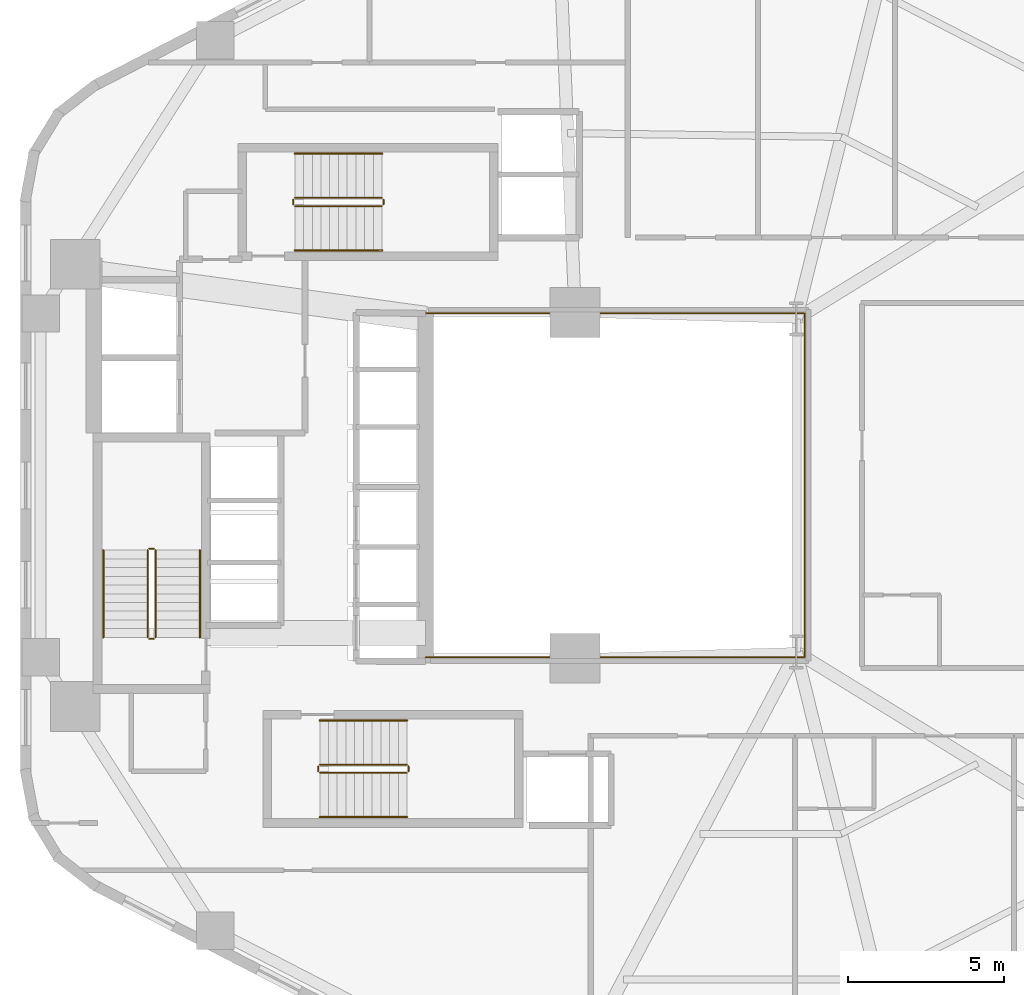
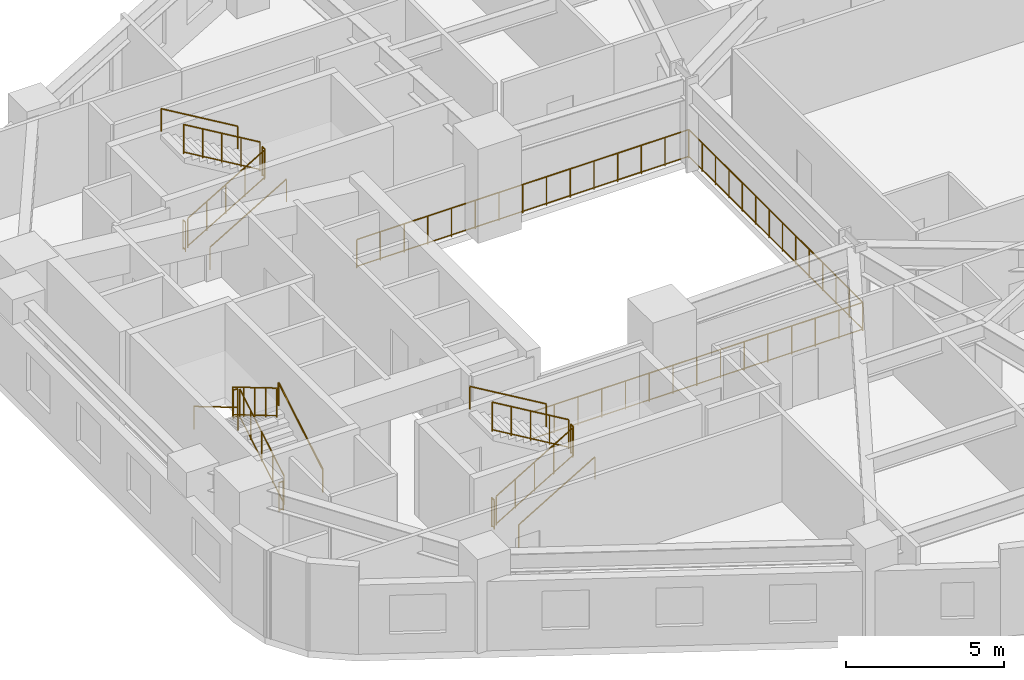
# One storey, part 7 of 7: 19 railings.
"""IFC4 building model written with IfcOpenShell, lengths in metres."""

from ifc_helpers import new_model, si_unit, direction, frame, origin, origin_2d, place, context, subcontext, project, spatial, circle, extrude, material, type_object, element, save


model = new_model("IFC4")

# Units and contexts
model_context = context("Model", 3, precision=1e-05, world=origin(), true_north=direction((0.0, 1.0)))
body_context = subcontext(model_context, "Body", "Model", "MODEL_VIEW")
ifc_project = project(units=[si_unit("LENGTHUNIT", "METRE"), si_unit("AREAUNIT", "SQUARE_METRE"), si_unit("VOLUMEUNIT", "CUBIC_METRE"), si_unit("PLANEANGLEUNIT", "RADIAN"), si_unit("MASSUNIT", "GRAM", prefix="KILO"), si_unit("THERMODYNAMICTEMPERATUREUNIT", "KELVIN"), si_unit("POWERUNIT", "WATT")], contexts=[model_context])

# Site, building, storey
site_placement = place(None, origin())
site = spatial("IfcSite", under=ifc_project, at=site_placement, CompositionType="ELEMENT")
building_placement = place(site_placement, origin())
building = spatial("IfcBuilding", under=site, at=building_placement, Name="Skarre Station Tower", CompositionType="ELEMENT")
storey_placement = place(building_placement, frame((0.0, 0.0, 89.050048828125)))
storey = spatial("IfcBuildingStorey", under=building, at=storey_placement, Name="L23", CompositionType="ELEMENT", Elevation=89.050048828125)

# Railings
ifc_material_1 = material(Name="Bronze Anodized Steel & Laminated Glass Balustrade", Category="steel")
railing_type_1 = type_object("IfcRailingType", Name="Atrium Void & Mezzanine Guard Balustrade 1120", PredefinedType="GUARDRAIL", material=ifc_material_1)
railing_1_placement = place(storey_placement, frame((27.550048828125, 18.47998046875, 0.0)))
element("IfcRailing", 1, at=railing_1_placement, inside=storey, type_object=railing_type_1, Name="L23 Atrium Void Guard Balustrade", PredefinedType="GUARDRAIL", context=body_context, shape_type="SweptSolid", body=[
    extrude(circle(Radius=0.02392578125, at=origin_2d()), frame((0.0, 0.0, 1.09619140625), z_axis=(1.0, 0.0, 0.0), x_axis=(0.0, 1.0, 0.0)), (0.0, 0.0, 1.0), 12.169921875),
    extrude(circle(Radius=0.02099609375, at=origin_2d()), frame((0.0, 0.0, 0.06005859375), z_axis=(1.0, 0.0, 0.0), x_axis=(0.0, 1.0, 0.0)), (0.0, 0.0, 1.0), 12.169921875),
    extrude(circle(Radius=0.02392578125, at=origin_2d()), frame((12.169921875, 0.0, 1.09619140625), z_axis=(0.0, 1.0, 0.0), x_axis=(-1.0, 0.0, 0.0)), (0.0, 0.0, 1.0), 11.0400390625),
    extrude(circle(Radius=0.02099609375, at=origin_2d()), frame((12.169921875, 0.0, 0.06005859375), z_axis=(0.0, 1.0, 0.0), x_axis=(-1.0, 0.0, 0.0)), (0.0, 0.0, 1.0), 11.0400390625),
    extrude(circle(Radius=0.02392578125, at=origin_2d()), frame((12.169921875, 11.0400390625, 1.09619140625), z_axis=(-1.0, 0.0, 0.0), x_axis=(0.0, -1.0, 0.0)), (0.0, 0.0, 1.0), 12.169921875),
    extrude(circle(Radius=0.02099609375, at=origin_2d()), frame((12.169921875, 11.0400390625, 0.06005859375), z_axis=(-1.0, 0.0, 0.0), x_axis=(0.0, -1.0, 0.0)), (0.0, 0.0, 1.0), 12.169921875),
    extrude(circle(Radius=0.02099609375, at=origin_2d()), origin(), (0.0, 0.0, 1.0), 1.072021484375),
    extrude(circle(Radius=0.02099609375, at=origin_2d()), frame((0.869384765625, 0.0, 0.0)), (0.0, 0.0, 1.0), 1.072021484375),
    extrude(circle(Radius=0.02099609375, at=origin_2d()), frame((1.738525390625, 0.0, 0.0)), (0.0, 0.0, 1.0), 1.072021484375),
    extrude(circle(Radius=0.02099609375, at=origin_2d()), frame((2.60791015625, 0.0, 0.0)), (0.0, 0.0, 1.0), 1.072021484375),
    extrude(circle(Radius=0.02099609375, at=origin_2d()), frame((3.47705078125, 0.0, 0.0)), (0.0, 0.0, 1.0), 1.072021484375),
    extrude(circle(Radius=0.02099609375, at=origin_2d()), frame((4.346435546875, 0.0, 0.0)), (0.0, 0.0, 1.0), 1.072021484375),
    extrude(circle(Radius=0.02099609375, at=origin_2d()), frame((5.215576171875, 0.0, 0.0)), (0.0, 0.0, 1.0), 1.072021484375),
    extrude(circle(Radius=0.02099609375, at=origin_2d()), frame((6.0849609375, 0.0, 0.0)), (0.0, 0.0, 1.0), 1.072021484375),
    extrude(circle(Radius=0.02099609375, at=origin_2d()), frame((6.954345703125, 0.0, 0.0)), (0.0, 0.0, 1.0), 1.072021484375),
    extrude(circle(Radius=0.02099609375, at=origin_2d()), frame((7.823486328125, 0.0, 0.0)), (0.0, 0.0, 1.0), 1.072021484375),
    extrude(circle(Radius=0.02099609375, at=origin_2d()), frame((8.69287109375, 0.0, 0.0)), (0.0, 0.0, 1.0), 1.072021484375),
    extrude(circle(Radius=0.02099609375, at=origin_2d()), frame((9.56201171875, 0.0, 0.0)), (0.0, 0.0, 1.0), 1.072021484375),
    extrude(circle(Radius=0.02099609375, at=origin_2d()), frame((10.431396484375, 0.0, 0.0)), (0.0, 0.0, 1.0), 1.072021484375),
    extrude(circle(Radius=0.02099609375, at=origin_2d()), frame((11.300537109375, 0.0, 0.0)), (0.0, 0.0, 1.0), 1.072021484375),
    extrude(circle(Radius=0.02099609375, at=origin_2d()), frame((12.169921875, 0.0, 0.0)), (0.0, 0.0, 1.0), 1.072021484375),
    extrude(circle(Radius=0.02099609375, at=origin_2d()), frame((12.169921875, 0.84912109375, 0.0)), (0.0, 0.0, 1.0), 1.072021484375),
    extrude(circle(Radius=0.02099609375, at=origin_2d()), frame((12.169921875, 1.698486328125, 0.0)), (0.0, 0.0, 1.0), 1.072021484375),
    extrude(circle(Radius=0.02099609375, at=origin_2d()), frame((12.169921875, 2.547607421875, 0.0)), (0.0, 0.0, 1.0), 1.072021484375),
    extrude(circle(Radius=0.02099609375, at=origin_2d()), frame((12.169921875, 3.39697265625, 0.0)), (0.0, 0.0, 1.0), 1.072021484375),
    extrude(circle(Radius=0.02099609375, at=origin_2d()), frame((12.169921875, 4.24609375, 0.0)), (0.0, 0.0, 1.0), 1.072021484375),
    extrude(circle(Radius=0.02099609375, at=origin_2d()), frame((12.169921875, 5.095458984375, 0.0)), (0.0, 0.0, 1.0), 1.072021484375),
    extrude(circle(Radius=0.02099609375, at=origin_2d()), frame((12.169921875, 5.944580078125, 0.0)), (0.0, 0.0, 1.0), 1.072021484375),
    extrude(circle(Radius=0.02099609375, at=origin_2d()), frame((12.169921875, 6.7939453125, 0.0)), (0.0, 0.0, 1.0), 1.072021484375),
    extrude(circle(Radius=0.02099609375, at=origin_2d()), frame((12.169921875, 7.64306640625, 0.0)), (0.0, 0.0, 1.0), 1.072021484375),
    extrude(circle(Radius=0.02099609375, at=origin_2d()), frame((12.169921875, 8.492431640625, 0.0)), (0.0, 0.0, 1.0), 1.072021484375),
    extrude(circle(Radius=0.02099609375, at=origin_2d()), frame((12.169921875, 9.341552734375, 0.0)), (0.0, 0.0, 1.0), 1.072021484375),
    extrude(circle(Radius=0.02099609375, at=origin_2d()), frame((12.169921875, 10.19091796875, 0.0)), (0.0, 0.0, 1.0), 1.072021484375),
    extrude(circle(Radius=0.02099609375, at=origin_2d()), frame((12.169921875, 11.0400390625, 0.0)), (0.0, 0.0, 1.0), 1.072021484375),
    extrude(circle(Radius=0.02099609375, at=origin_2d()), frame((11.300537109375, 11.0400390625, 0.0)), (0.0, 0.0, 1.0), 1.072021484375),
    extrude(circle(Radius=0.02099609375, at=origin_2d()), frame((10.431396484375, 11.0400390625, 0.0)), (0.0, 0.0, 1.0), 1.072021484375),
    extrude(circle(Radius=0.02099609375, at=origin_2d()), frame((9.56201171875, 11.0400390625, 0.0)), (0.0, 0.0, 1.0), 1.072021484375),
    extrude(circle(Radius=0.02099609375, at=origin_2d()), frame((8.69287109375, 11.0400390625, 0.0)), (0.0, 0.0, 1.0), 1.072021484375),
    extrude(circle(Radius=0.02099609375, at=origin_2d()), frame((7.823486328125, 11.0400390625, 0.0)), (0.0, 0.0, 1.0), 1.072021484375),
    extrude(circle(Radius=0.02099609375, at=origin_2d()), frame((6.954345703125, 11.0400390625, 0.0)), (0.0, 0.0, 1.0), 1.072021484375),
    extrude(circle(Radius=0.02099609375, at=origin_2d()), frame((6.0849609375, 11.0400390625, 0.0)), (0.0, 0.0, 1.0), 1.072021484375),
    extrude(circle(Radius=0.02099609375, at=origin_2d()), frame((5.215576171875, 11.0400390625, 0.0)), (0.0, 0.0, 1.0), 1.072021484375),
    extrude(circle(Radius=0.02099609375, at=origin_2d()), frame((4.346435546875, 11.0400390625, 0.0)), (0.0, 0.0, 1.0), 1.072021484375),
    extrude(circle(Radius=0.02099609375, at=origin_2d()), frame((3.47705078125, 11.0400390625, 0.0)), (0.0, 0.0, 1.0), 1.072021484375),
    extrude(circle(Radius=0.02099609375, at=origin_2d()), frame((2.60791015625, 11.0400390625, 0.0)), (0.0, 0.0, 1.0), 1.072021484375),
    extrude(circle(Radius=0.02099609375, at=origin_2d()), frame((1.738525390625, 11.0400390625, 0.0)), (0.0, 0.0, 1.0), 1.072021484375),
    extrude(circle(Radius=0.02099609375, at=origin_2d()), frame((0.869384765625, 11.0400390625, 0.0)), (0.0, 0.0, 1.0), 1.072021484375),
    extrude(circle(Radius=0.02099609375, at=origin_2d()), frame((0.0, 11.0400390625, 0.0)), (0.0, 0.0, 1.0), 1.072021484375),
])
ifc_material_2 = material(Name="Powder-Coated Tubular Steel", Category="steel")
railing_type_2 = type_object("IfcRailingType", Name="Painted Steel Ramp & Stair Handrail 920", PredefinedType="HANDRAIL", material=ifc_material_2)
railing_2_placement = place(storey_placement, frame((20.300048828125, 19.1201171875, 0.165771484375)))
element("IfcRailing", 2, at=railing_2_placement, inside=storey, type_object=railing_type_2, Name="L23 ST-1 stair handrail 1", PredefinedType="HANDRAIL", context=body_context, shape_type="SweptSolid", body=[
    extrude(circle(Radius=0.02392578125, at=origin_2d()), frame((0.0, 0.0, 0.8759765625), z_axis=(0.0, 0.860286659441, 0.509810615413), x_axis=(-1.0, 0.0, 0.0)), (0.0, 0.0, 1.0), 3.25439453125),
    extrude(circle(Radius=0.02099609375, at=origin_2d()), origin(), (0.0, 0.0, 1.0), 0.851806640625),
    extrude(circle(Radius=0.02099609375, at=origin_2d()), frame((0.0, 2.7998046875, 1.6591796875)), (0.0, 0.0, 1.0), 0.851806640625),
])
railing_3_placement = place(storey_placement, frame((17.199951171875, 21.919921875, 1.990966796875)))
element("IfcRailing", 3, at=railing_3_placement, inside=storey, type_object=railing_type_2, Name="L23 ST-1 stair handrail 2", PredefinedType="HANDRAIL", context=body_context, shape_type="SweptSolid", body=[
    extrude(circle(Radius=0.02392578125, at=origin_2d()), frame((0.0, 0.0, 0.8759765625), z_axis=(0.0, -0.860319559791, 0.509755093197), x_axis=(1.0, 0.0, 0.0)), (0.0, 0.0, 1.0), 3.25439453125),
    extrude(circle(Radius=0.02099609375, at=origin_2d()), origin(), (0.0, 0.0, 1.0), 0.851806640625),
    extrude(circle(Radius=0.02099609375, at=origin_2d()), frame((0.0, -2.7998046875, 1.658935546875)), (0.0, 0.0, 1.0), 0.851806640625),
])
railing_4_placement = place(storey_placement, frame((24.14990234375, 13.35009765625, 0.165771484375)))
element("IfcRailing", 4, at=railing_4_placement, inside=storey, type_object=railing_type_2, Name="L23 ST-2 stair handrail 1", PredefinedType="HANDRAIL", context=body_context, shape_type="SweptSolid", body=[
    extrude(circle(Radius=0.02392578125, at=origin_2d()), frame((0.0, 0.0, 0.8759765625), z_axis=(0.860306154799, 0.0, 0.50977771628), x_axis=(0.0, 1.0, 0.0)), (0.0, 0.0, 1.0), 3.254638671875),
    extrude(circle(Radius=0.02099609375, at=origin_2d()), origin(), (0.0, 0.0, 1.0), 0.851806640625),
    extrude(circle(Radius=0.02099609375, at=origin_2d()), frame((2.800048828125, 0.0, 1.6591796875)), (0.0, 0.0, 1.0), 0.851806640625),
])
railing_5_placement = place(storey_placement, frame((26.949951171875, 16.449951171875, 1.990966796875)))
element("IfcRailing", 5, at=railing_5_placement, inside=storey, type_object=railing_type_2, Name="L23 ST-2 stair handrail 2", PredefinedType="HANDRAIL", context=body_context, shape_type="SweptSolid", body=[
    extrude(circle(Radius=0.02392578125, at=origin_2d()), frame((0.0, 0.0, 0.8759765625), z_axis=(-0.860339051648, 0.0, 0.50972219513), x_axis=(0.0, -1.0, 0.0)), (0.0, 0.0, 1.0), 3.254638671875),
    extrude(circle(Radius=0.02099609375, at=origin_2d()), origin(), (0.0, 0.0, 1.0), 0.851806640625),
    extrude(circle(Radius=0.02099609375, at=origin_2d()), frame((-2.800048828125, 0.0, 1.658935546875)), (0.0, 0.0, 1.0), 0.851806640625),
])
railing_6_placement = place(storey_placement, frame((23.35009765625, 31.550048828125, 0.165771484375)))
element("IfcRailing", 6, at=railing_6_placement, inside=storey, type_object=railing_type_2, Name="L23 ST-3 stair handrail 1", PredefinedType="HANDRAIL", context=body_context, shape_type="SweptSolid", body=[
    extrude(circle(Radius=0.02392578125, at=origin_2d()), frame((0.0, 0.0, 0.8759765625), z_axis=(0.860286659441, 0.0, 0.509810615413), x_axis=(0.0, 1.0, 0.0)), (0.0, 0.0, 1.0), 3.25439453125),
    extrude(circle(Radius=0.02099609375, at=origin_2d()), origin(), (0.0, 0.0, 1.0), 0.851806640625),
    extrude(circle(Radius=0.02099609375, at=origin_2d()), frame((2.7998046875, 0.0, 1.6591796875)), (0.0, 0.0, 1.0), 0.851806640625),
])
railing_7_placement = place(storey_placement, frame((26.14990234375, 34.64990234375, 1.990966796875)))
element("IfcRailing", 7, at=railing_7_placement, inside=storey, type_object=railing_type_2, Name="L23 ST-3 stair handrail 2", PredefinedType="HANDRAIL", context=body_context, shape_type="SweptSolid", body=[
    extrude(circle(Radius=0.02392578125, at=origin_2d()), frame((0.0, 0.0, 0.8759765625), z_axis=(-0.860319559791, 0.0, 0.509755093197), x_axis=(0.0, -1.0, 0.0)), (0.0, 0.0, 1.0), 3.25439453125),
    extrude(circle(Radius=0.02099609375, at=origin_2d()), origin(), (0.0, 0.0, 1.0), 0.851806640625),
    extrude(circle(Radius=0.02099609375, at=origin_2d()), frame((-2.7998046875, 0.0, 1.658935546875)), (0.0, 0.0, 1.0), 0.851806640625),
])
railing_type_3 = type_object("IfcRailingType", Name="Painted Steel Stairwell Guardrail 1100", PredefinedType="GUARDRAIL", material=ifc_material_2)
railing_8_placement = place(storey_placement, frame((18.8798828125, 19.1201171875, 0.165771484375)))
element("IfcRailing", 8, at=railing_8_placement, inside=storey, type_object=railing_type_3, Name="L23 ST-1 stair guard 1", PredefinedType="GUARDRAIL", context=body_context, shape_type="SweptSolid", body=[
    extrude(circle(Radius=0.02392578125, at=origin_2d()), frame((0.0, 0.0, 1.1259765625), z_axis=(0.0, 0.860286659441, 0.509810615413), x_axis=(-1.0, 0.0, 0.0)), (0.0, 0.0, 1.0), 3.25439453125),
    extrude(circle(Radius=0.02099609375, at=origin_2d()), frame((0.0, 0.0, 0.06005859375), z_axis=(0.0, 0.860286659441, 0.509810615413), x_axis=(-1.0, 0.0, 0.0)), (0.0, 0.0, 1.0), 3.25439453125),
    extrude(circle(Radius=0.02099609375, at=origin_2d()), origin(), (0.0, 0.0, 1.0), 1.101806640625),
    extrude(circle(Radius=0.02099609375, at=origin_2d()), frame((0.0, 0.699951171875, 0.414794921875)), (0.0, 0.0, 1.0), 1.101806640625),
    extrude(circle(Radius=0.02099609375, at=origin_2d()), frame((0.0, 1.39990234375, 0.82958984375)), (0.0, 0.0, 1.0), 1.101806640625),
    extrude(circle(Radius=0.02099609375, at=origin_2d()), frame((0.0, 2.099853515625, 1.244384765625)), (0.0, 0.0, 1.0), 1.101806640625),
    extrude(circle(Radius=0.02099609375, at=origin_2d()), frame((0.0, 2.7998046875, 1.6591796875)), (0.0, 0.0, 1.0), 1.101806640625),
])
railing_9_placement = place(storey_placement, frame((18.830078125, 21.969970703125, 1.824951171875)))
element("IfcRailing", 9, at=railing_9_placement, inside=storey, type_object=railing_type_3, Name="L23 ST-1 stair guard 2", PredefinedType="GUARDRAIL", context=body_context, shape_type="SweptSolid", body=[
    extrude(circle(Radius=0.02392578125, at=origin_2d()), frame((0.0, 0.0, 1.1259765625), z_axis=(-1.0, 0.0, 0.0), x_axis=(0.0, -1.0, 0.0)), (0.0, 0.0, 1.0), 0.16015625),
    extrude(circle(Radius=0.02099609375, at=origin_2d()), frame((0.0, 0.0, 0.06005859375), z_axis=(-1.0, 0.0, 0.0), x_axis=(0.0, -1.0, 0.0)), (0.0, 0.0, 1.0), 0.16015625),
    extrude(circle(Radius=0.02099609375, at=origin_2d()), origin(), (0.0, 0.0, 1.0), 1.101806640625),
    extrude(circle(Radius=0.02099609375, at=origin_2d()), frame((-0.16015625, 0.0, 0.0)), (0.0, 0.0, 1.0), 1.101806640625),
])
railing_10_placement = place(storey_placement, frame((18.6201171875, 21.919921875, 1.990966796875)))
element("IfcRailing", 10, at=railing_10_placement, inside=storey, type_object=railing_type_3, Name="L23 ST-1 stair guard 3", PredefinedType="GUARDRAIL", context=body_context, shape_type="SweptSolid", body=[
    extrude(circle(Radius=0.02392578125, at=origin_2d()), frame((0.0, 0.0, 1.1259765625), z_axis=(0.0, -0.860319559791, 0.509755093197), x_axis=(1.0, 0.0, 0.0)), (0.0, 0.0, 1.0), 3.25439453125),
    extrude(circle(Radius=0.02099609375, at=origin_2d()), frame((0.0, 0.0, 0.06005859375), z_axis=(0.0, -0.860319559791, 0.509755093197), x_axis=(1.0, 0.0, 0.0)), (0.0, 0.0, 1.0), 3.25439453125),
    extrude(circle(Radius=0.02099609375, at=origin_2d()), origin(), (0.0, 0.0, 1.0), 1.101806640625),
    extrude(circle(Radius=0.02099609375, at=origin_2d()), frame((0.0, -0.699951171875, 0.414794921875)), (0.0, 0.0, 1.0), 1.101806640625),
    extrude(circle(Radius=0.02099609375, at=origin_2d()), frame((0.0, -1.39990234375, 0.82958984375)), (0.0, 0.0, 1.0), 1.101806640625),
    extrude(circle(Radius=0.02099609375, at=origin_2d()), frame((0.0, -2.099853515625, 1.244140625)), (0.0, 0.0, 1.0), 1.101806640625),
    extrude(circle(Radius=0.02099609375, at=origin_2d()), frame((0.0, -2.7998046875, 1.658935546875)), (0.0, 0.0, 1.0), 1.101806640625),
])
railing_11_placement = place(storey_placement, frame((18.830078125, 19.070068359375, 0.0)))
element("IfcRailing", 11, at=railing_11_placement, inside=storey, type_object=railing_type_3, Name="L23 ST-1 stair guard 4", PredefinedType="GUARDRAIL", context=body_context, shape_type="SweptSolid", body=[
    extrude(circle(Radius=0.02392578125, at=origin_2d()), frame((0.0, 0.0, 1.1259765625), z_axis=(-1.0, 0.0, 0.0), x_axis=(0.0, -1.0, 0.0)), (0.0, 0.0, 1.0), 0.16015625),
    extrude(circle(Radius=0.02099609375, at=origin_2d()), frame((0.0, 0.0, 0.06005859375), z_axis=(-1.0, 0.0, 0.0), x_axis=(0.0, -1.0, 0.0)), (0.0, 0.0, 1.0), 0.16015625),
    extrude(circle(Radius=0.02099609375, at=origin_2d()), origin(), (0.0, 0.0, 1.0), 1.101806640625),
    extrude(circle(Radius=0.02099609375, at=origin_2d()), frame((-0.16015625, 0.0, 0.0)), (0.0, 0.0, 1.0), 1.101806640625),
])
railing_12_placement = place(storey_placement, frame((24.14990234375, 14.77001953125, 0.165771484375)))
element("IfcRailing", 12, at=railing_12_placement, inside=storey, type_object=railing_type_3, Name="L23 ST-2 stair guard 1", PredefinedType="GUARDRAIL", context=body_context, shape_type="SweptSolid", body=[
    extrude(circle(Radius=0.02392578125, at=origin_2d()), frame((0.0, 0.0, 1.1259765625), z_axis=(0.860306154799, 0.0, 0.50977771628), x_axis=(0.0, 1.0, 0.0)), (0.0, 0.0, 1.0), 3.254638671875),
    extrude(circle(Radius=0.02099609375, at=origin_2d()), frame((0.0, 0.0, 0.06005859375), z_axis=(0.860306154799, 0.0, 0.50977771628), x_axis=(0.0, 1.0, 0.0)), (0.0, 0.0, 1.0), 3.254638671875),
    extrude(circle(Radius=0.02099609375, at=origin_2d()), origin(), (0.0, 0.0, 1.0), 1.101806640625),
    extrude(circle(Radius=0.02099609375, at=origin_2d()), frame((0.699951171875, 0.0, 0.414794921875)), (0.0, 0.0, 1.0), 1.101806640625),
    extrude(circle(Radius=0.02099609375, at=origin_2d()), frame((1.39990234375, 0.0, 0.82958984375)), (0.0, 0.0, 1.0), 1.101806640625),
    extrude(circle(Radius=0.02099609375, at=origin_2d()), frame((2.10009765625, 0.0, 1.244384765625)), (0.0, 0.0, 1.0), 1.101806640625),
    extrude(circle(Radius=0.02099609375, at=origin_2d()), frame((2.800048828125, 0.0, 1.6591796875)), (0.0, 0.0, 1.0), 1.101806640625),
])
railing_13_placement = place(storey_placement, frame((27.0, 14.820068359375, 1.824951171875)))
element("IfcRailing", 13, at=railing_13_placement, inside=storey, type_object=railing_type_3, Name="L23 ST-2 stair guard 2", PredefinedType="GUARDRAIL", context=body_context, shape_type="SweptSolid", body=[
    extrude(circle(Radius=0.02392578125, at=origin_2d()), frame((0.0, 0.0, 1.1259765625), z_axis=(0.0, 1.0, 0.0), x_axis=(-1.0, 0.0, 0.0)), (0.0, 0.0, 1.0), 0.159912109375),
    extrude(circle(Radius=0.02099609375, at=origin_2d()), frame((0.0, 0.0, 0.06005859375), z_axis=(0.0, 1.0, 0.0), x_axis=(-1.0, 0.0, 0.0)), (0.0, 0.0, 1.0), 0.159912109375),
    extrude(circle(Radius=0.02099609375, at=origin_2d()), origin(), (0.0, 0.0, 1.0), 1.101806640625),
    extrude(circle(Radius=0.02099609375, at=origin_2d()), frame((0.0, 0.159912109375, 0.0)), (0.0, 0.0, 1.0), 1.101806640625),
])
railing_14_placement = place(storey_placement, frame((26.949951171875, 15.030029296875, 1.990966796875)))
element("IfcRailing", 14, at=railing_14_placement, inside=storey, type_object=railing_type_3, Name="L23 ST-2 stair guard 3", PredefinedType="GUARDRAIL", context=body_context, shape_type="SweptSolid", body=[
    extrude(circle(Radius=0.02392578125, at=origin_2d()), frame((0.0, 0.0, 1.1259765625), z_axis=(-0.860339051648, 0.0, 0.50972219513), x_axis=(0.0, -1.0, 0.0)), (0.0, 0.0, 1.0), 3.254638671875),
    extrude(circle(Radius=0.02099609375, at=origin_2d()), frame((0.0, 0.0, 0.06005859375), z_axis=(-0.860339051648, 0.0, 0.50972219513), x_axis=(0.0, -1.0, 0.0)), (0.0, 0.0, 1.0), 3.254638671875),
    extrude(circle(Radius=0.02099609375, at=origin_2d()), origin(), (0.0, 0.0, 1.0), 1.101806640625),
    extrude(circle(Radius=0.02099609375, at=origin_2d()), frame((-0.699951171875, 0.0, 0.414794921875)), (0.0, 0.0, 1.0), 1.101806640625),
    extrude(circle(Radius=0.02099609375, at=origin_2d()), frame((-1.39990234375, 0.0, 0.82958984375)), (0.0, 0.0, 1.0), 1.101806640625),
    extrude(circle(Radius=0.02099609375, at=origin_2d()), frame((-2.10009765625, 0.0, 1.244140625)), (0.0, 0.0, 1.0), 1.101806640625),
    extrude(circle(Radius=0.02099609375, at=origin_2d()), frame((-2.800048828125, 0.0, 1.658935546875)), (0.0, 0.0, 1.0), 1.101806640625),
])
railing_15_placement = place(storey_placement, frame((24.10009765625, 14.820068359375, 0.0)))
element("IfcRailing", 15, at=railing_15_placement, inside=storey, type_object=railing_type_3, Name="L23 ST-2 stair guard 4", PredefinedType="GUARDRAIL", context=body_context, shape_type="SweptSolid", body=[
    extrude(circle(Radius=0.02392578125, at=origin_2d()), frame((0.0, 0.0, 1.1259765625), z_axis=(0.0, 1.0, 0.0), x_axis=(-1.0, 0.0, 0.0)), (0.0, 0.0, 1.0), 0.159912109375),
    extrude(circle(Radius=0.02099609375, at=origin_2d()), frame((0.0, 0.0, 0.06005859375), z_axis=(0.0, 1.0, 0.0), x_axis=(-1.0, 0.0, 0.0)), (0.0, 0.0, 1.0), 0.159912109375),
    extrude(circle(Radius=0.02099609375, at=origin_2d()), origin(), (0.0, 0.0, 1.0), 1.101806640625),
    extrude(circle(Radius=0.02099609375, at=origin_2d()), frame((0.0, 0.159912109375, 0.0)), (0.0, 0.0, 1.0), 1.101806640625),
])
railing_16_placement = place(storey_placement, frame((23.35009765625, 32.969970703125, 0.165771484375)))
element("IfcRailing", 16, at=railing_16_placement, inside=storey, type_object=railing_type_3, Name="L23 ST-3 stair guard 1", PredefinedType="GUARDRAIL", context=body_context, shape_type="SweptSolid", body=[
    extrude(circle(Radius=0.02392578125, at=origin_2d()), frame((0.0, 0.0, 1.1259765625), z_axis=(0.860286659441, 0.0, 0.509810615413), x_axis=(0.0, 1.0, 0.0)), (0.0, 0.0, 1.0), 3.25439453125),
    extrude(circle(Radius=0.02099609375, at=origin_2d()), frame((0.0, 0.0, 0.06005859375), z_axis=(0.860286659441, 0.0, 0.509810615413), x_axis=(0.0, 1.0, 0.0)), (0.0, 0.0, 1.0), 3.25439453125),
    extrude(circle(Radius=0.02099609375, at=origin_2d()), origin(), (0.0, 0.0, 1.0), 1.101806640625),
    extrude(circle(Radius=0.02099609375, at=origin_2d()), frame((0.699951171875, 0.0, 0.414794921875)), (0.0, 0.0, 1.0), 1.101806640625),
    extrude(circle(Radius=0.02099609375, at=origin_2d()), frame((1.39990234375, 0.0, 0.82958984375)), (0.0, 0.0, 1.0), 1.101806640625),
    extrude(circle(Radius=0.02099609375, at=origin_2d()), frame((2.099853515625, 0.0, 1.244384765625)), (0.0, 0.0, 1.0), 1.101806640625),
    extrude(circle(Radius=0.02099609375, at=origin_2d()), frame((2.7998046875, 0.0, 1.6591796875)), (0.0, 0.0, 1.0), 1.101806640625),
])
railing_17_placement = place(storey_placement, frame((26.199951171875, 33.02001953125, 1.824951171875)))
element("IfcRailing", 17, at=railing_17_placement, inside=storey, type_object=railing_type_3, Name="L23 ST-3 stair guard 2", PredefinedType="GUARDRAIL", context=body_context, shape_type="SweptSolid", body=[
    extrude(circle(Radius=0.02392578125, at=origin_2d()), frame((0.0, 0.0, 1.1259765625), z_axis=(0.0, 1.0, 0.0), x_axis=(-1.0, 0.0, 0.0)), (0.0, 0.0, 1.0), 0.159912109375),
    extrude(circle(Radius=0.02099609375, at=origin_2d()), frame((0.0, 0.0, 0.06005859375), z_axis=(0.0, 1.0, 0.0), x_axis=(-1.0, 0.0, 0.0)), (0.0, 0.0, 1.0), 0.159912109375),
    extrude(circle(Radius=0.02099609375, at=origin_2d()), origin(), (0.0, 0.0, 1.0), 1.101806640625),
    extrude(circle(Radius=0.02099609375, at=origin_2d()), frame((0.0, 0.159912109375, 0.0)), (0.0, 0.0, 1.0), 1.101806640625),
])
railing_18_placement = place(storey_placement, frame((26.14990234375, 33.22998046875, 1.990966796875)))
element("IfcRailing", 18, at=railing_18_placement, inside=storey, type_object=railing_type_3, Name="L23 ST-3 stair guard 3", PredefinedType="GUARDRAIL", context=body_context, shape_type="SweptSolid", body=[
    extrude(circle(Radius=0.02392578125, at=origin_2d()), frame((0.0, 0.0, 1.1259765625), z_axis=(-0.860319559791, 0.0, 0.509755093197), x_axis=(0.0, -1.0, 0.0)), (0.0, 0.0, 1.0), 3.25439453125),
    extrude(circle(Radius=0.02099609375, at=origin_2d()), frame((0.0, 0.0, 0.06005859375), z_axis=(-0.860319559791, 0.0, 0.509755093197), x_axis=(0.0, -1.0, 0.0)), (0.0, 0.0, 1.0), 3.25439453125),
    extrude(circle(Radius=0.02099609375, at=origin_2d()), origin(), (0.0, 0.0, 1.0), 1.101806640625),
    extrude(circle(Radius=0.02099609375, at=origin_2d()), frame((-0.699951171875, 0.0, 0.414794921875)), (0.0, 0.0, 1.0), 1.101806640625),
    extrude(circle(Radius=0.02099609375, at=origin_2d()), frame((-1.39990234375, 0.0, 0.82958984375)), (0.0, 0.0, 1.0), 1.101806640625),
    extrude(circle(Radius=0.02099609375, at=origin_2d()), frame((-2.099853515625, 0.0, 1.244140625)), (0.0, 0.0, 1.0), 1.101806640625),
    extrude(circle(Radius=0.02099609375, at=origin_2d()), frame((-2.7998046875, 0.0, 1.658935546875)), (0.0, 0.0, 1.0), 1.101806640625),
])
railing_19_placement = place(storey_placement, frame((23.300048828125, 33.02001953125, 0.0)))
element("IfcRailing", 19, at=railing_19_placement, inside=storey, type_object=railing_type_3, Name="L23 ST-3 stair guard 4", PredefinedType="GUARDRAIL", context=body_context, shape_type="SweptSolid", body=[
    extrude(circle(Radius=0.02392578125, at=origin_2d()), frame((0.0, 0.0, 1.1259765625), z_axis=(0.0, 1.0, 0.0), x_axis=(-1.0, 0.0, 0.0)), (0.0, 0.0, 1.0), 0.159912109375),
    extrude(circle(Radius=0.02099609375, at=origin_2d()), frame((0.0, 0.0, 0.06005859375), z_axis=(0.0, 1.0, 0.0), x_axis=(-1.0, 0.0, 0.0)), (0.0, 0.0, 1.0), 0.159912109375),
    extrude(circle(Radius=0.02099609375, at=origin_2d()), origin(), (0.0, 0.0, 1.0), 1.101806640625),
    extrude(circle(Radius=0.02099609375, at=origin_2d()), frame((0.0, 0.159912109375, 0.0)), (0.0, 0.0, 1.0), 1.101806640625),
])

save(model, "model.ifc")
